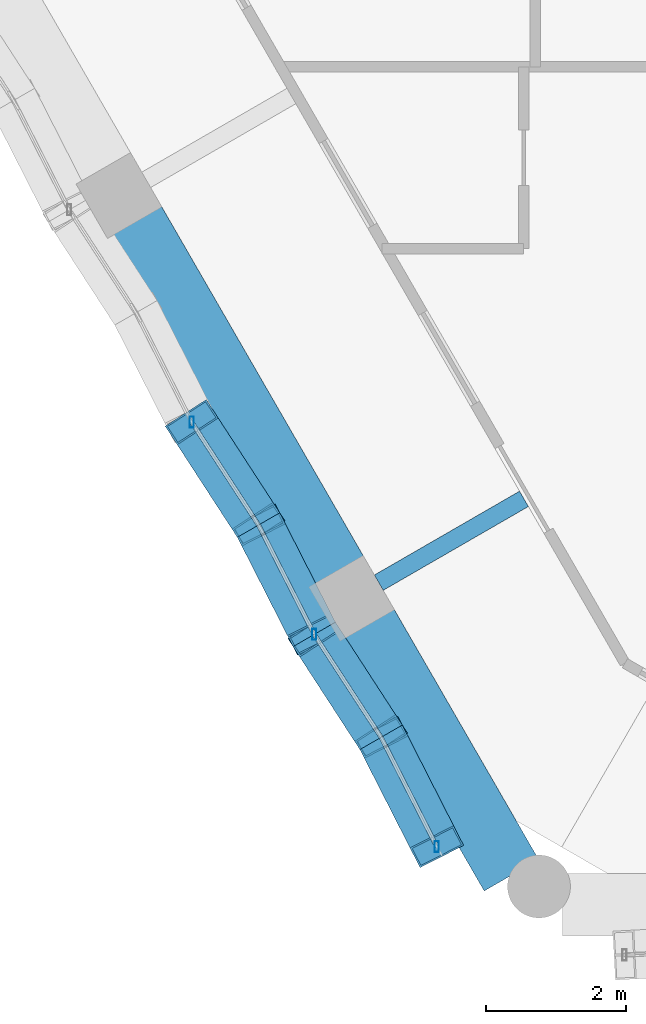
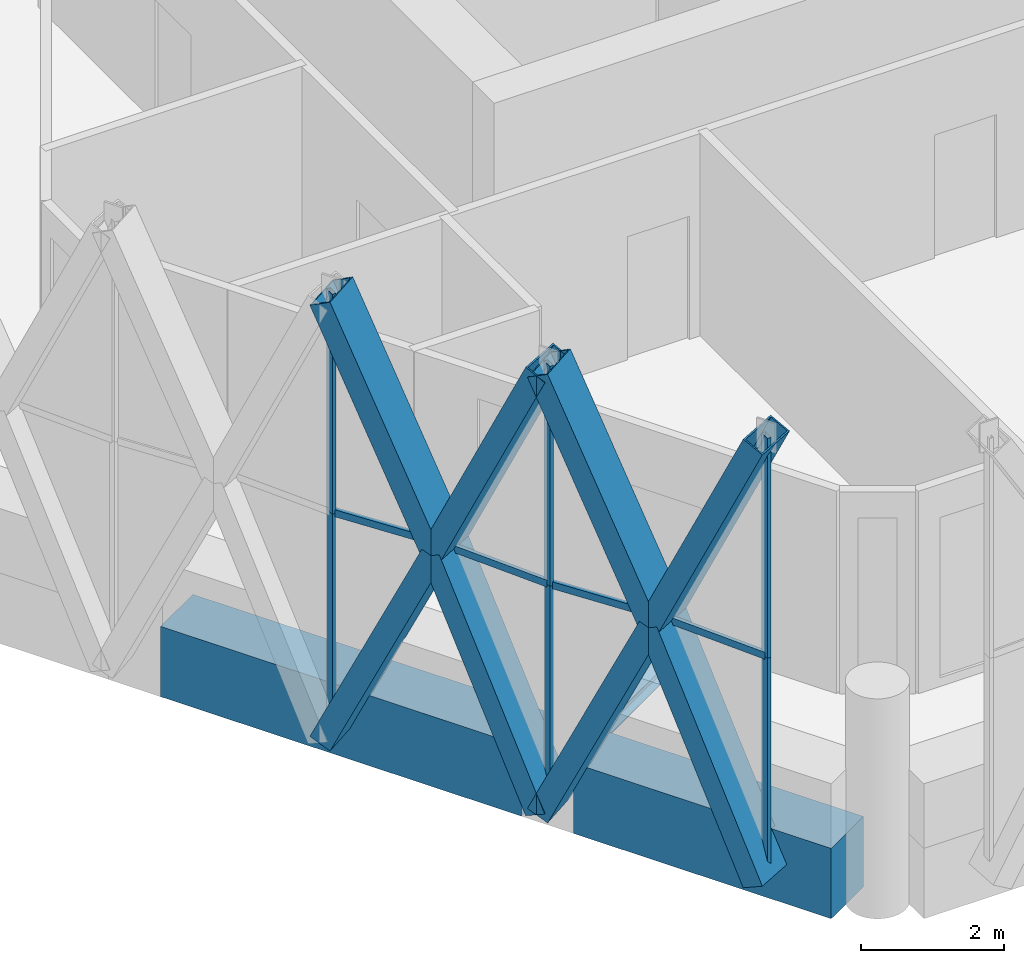
# One storey, part 2 of 27: 18 members, 3 beams, 2 elements without a shape of their own.
"""IFC4 building model written with IfcOpenShell, lengths in metres."""

from ifc_helpers import new_model, si_unit, direction, frame, origin, origin_2d, place, context, subcontext, project, spatial, rectangle, hollow_rectangle, i_section, extrude, material, material_profile, profile_set, type_object, element, aggregate, save


model = new_model("IFC4")

# Units and contexts
model_context = context("Model", 3, precision=1e-05, world=origin(), true_north=direction((0.0, 1.0)))
body_context = subcontext(model_context, "Body", "Model", "MODEL_VIEW")
ifc_project = project(units=[si_unit("LENGTHUNIT", "METRE"), si_unit("AREAUNIT", "SQUARE_METRE"), si_unit("VOLUMEUNIT", "CUBIC_METRE"), si_unit("PLANEANGLEUNIT", "RADIAN"), si_unit("MASSUNIT", "GRAM", prefix="KILO")], contexts=[model_context])

# Site, building, storey
site_placement = place(None, origin())
site = spatial("IfcSite", under=ifc_project, at=site_placement, CompositionType="ELEMENT")
building_placement = place(site_placement, origin())
building = spatial("IfcBuilding", under=site, at=building_placement, Name="Ostrander Bayou Hotel Tower", CompositionType="ELEMENT")
storey_placement = place(building_placement, frame((0.0, 0.0, 267.5)))
storey = spatial("IfcBuildingStorey", under=building, at=storey_placement, Name="L66", CompositionType="ELEMENT", Elevation=267.5)

# Curtain wall, members
ifc_material_1 = material(Name="Aluminium and clear glass", Category="aluminium")
curtain_wall_type = type_object("IfcCurtainWallType", Name="CW-LAT lattice glazing", PredefinedType="NOTDEFINED", material=ifc_material_1)
curtain_wall_1_placement = place(storey_placement, origin())
curtain_wall_1 = element("IfcCurtainWall", 1, at=curtain_wall_1_placement, inside=storey, type_object=curtain_wall_type, Name="CW-LAT L66 SW 1", PredefinedType="NOTDEFINED")
ifc_material_2 = material(Name="Aluminium", Category="aluminium")
ifc_material_profile_1 = material_profile(ifc_material_2, hollow_rectangle(XDim=0.06005859375, YDim=0.159912109375, WallThickness=0.00390625, at=origin_2d()))
ifc_profile_set_1 = profile_set([ifc_material_profile_1], Name="Aluminium")
member_type_1 = type_object("IfcMemberType", Name="CW-LA mullion 60 x 160 mm", PredefinedType="MULLION", material=ifc_profile_set_1)
member_1_placement = place(storey_placement, frame((-15.216064453125, -8.784912109375, -0.60009765625), z_axis=(0.0, 0.0, 1.0), x_axis=(1.0, 0.0, 0.0)))
member_1 = element("IfcMember", 2, at=member_1_placement, type_object=member_type_1, Name="CW-LAT mullion 8", PredefinedType="MULLION", context=body_context, shape_type="SweptSolid", body=[
    extrude(hollow_rectangle(XDim=0.06005859375, YDim=0.159912109375, WallThickness=0.00390625, at=origin_2d()), origin(), (0.0, 0.0, 1.0), 3.75),
])
member_2_placement = place(storey_placement, frame((-15.216064453125, -8.784912109375, 3.14990234375), z_axis=(0.0, 0.0, 1.0), x_axis=(1.0, 0.0, 0.0)))
member_2 = element("IfcMember", 3, at=member_2_placement, type_object=member_type_1, Name="CW-LAT mullion 9", PredefinedType="MULLION", context=body_context, shape_type="SweptSolid", body=[
    extrude(hollow_rectangle(XDim=0.06005859375, YDim=0.159912109375, WallThickness=0.00390625, at=origin_2d()), origin(), (0.0, 0.0, 1.0), 3.75),
])
member_3_placement = place(storey_placement, frame((-13.4619140625, -11.823486328125, -0.60009765625), z_axis=(0.0, 0.0, 1.0), x_axis=(1.0, 0.0, 0.0)))
member_3 = element("IfcMember", 4, at=member_3_placement, type_object=member_type_1, Name="CW-LAT mullion 12", PredefinedType="MULLION", context=body_context, shape_type="SweptSolid", body=[
    extrude(hollow_rectangle(XDim=0.06005859375, YDim=0.159912109375, WallThickness=0.00390625, at=origin_2d()), origin(), (0.0, 0.0, 1.0), 3.75),
])
member_4_placement = place(storey_placement, frame((-13.4619140625, -11.823486328125, 3.14990234375), z_axis=(0.0, 0.0, 1.0), x_axis=(1.0, 0.0, 0.0)))
member_4 = element("IfcMember", 5, at=member_4_placement, type_object=member_type_1, Name="CW-LAT mullion 13", PredefinedType="MULLION", context=body_context, shape_type="SweptSolid", body=[
    extrude(hollow_rectangle(XDim=0.06005859375, YDim=0.159912109375, WallThickness=0.00390625, at=origin_2d()), origin(), (0.0, 0.0, 1.0), 3.75),
])
member_5_placement = place(storey_placement, frame((-11.70751953125, -14.862060546875, -0.60009765625), z_axis=(0.0, 0.0, 1.0), x_axis=(1.0, 0.0, 0.0)))
member_5 = element("IfcMember", 6, at=member_5_placement, type_object=member_type_1, Name="CW-LAT mullion 16", PredefinedType="MULLION", context=body_context, shape_type="SweptSolid", body=[
    extrude(hollow_rectangle(XDim=0.06005859375, YDim=0.159912109375, WallThickness=0.00390625, at=origin_2d()), origin(), (0.0, 0.0, 1.0), 3.75),
])
member_6_placement = place(storey_placement, frame((-11.70751953125, -14.862060546875, 3.14990234375), z_axis=(0.0, 0.0, 1.0), x_axis=(1.0, 0.0, 0.0)))
member_6 = element("IfcMember", 7, at=member_6_placement, type_object=member_type_1, Name="CW-LAT mullion 17", PredefinedType="MULLION", context=body_context, shape_type="SweptSolid", body=[
    extrude(hollow_rectangle(XDim=0.06005859375, YDim=0.159912109375, WallThickness=0.00390625, at=origin_2d()), origin(), (0.0, 0.0, 1.0), 3.75),
])
aggregate(curtain_wall_1, [member_1, member_2, member_3, member_4, member_5, member_6])

curtain_wall_2_placement = place(storey_placement, origin())
curtain_wall_2 = element("IfcCurtainWall", 8, at=curtain_wall_2_placement, inside=storey, type_object=curtain_wall_type, Name="CW-LAT L66 SW 2", PredefinedType="NOTDEFINED")
ifc_material_3 = material(Name="Aluminium", Category="aluminium")
ifc_material_profile_2 = material_profile(ifc_material_3, hollow_rectangle(XDim=0.06005859375, YDim=0.1201171875, WallThickness=0.00390625, at=origin_2d()))
ifc_profile_set_2 = profile_set([ifc_material_profile_2], Name="Aluminium")
member_type_2 = type_object("IfcMemberType", Name="CW-LA transom 60 x 120 mm", PredefinedType="USERDEFINED", material=ifc_profile_set_2)
member_7_placement = place(storey_placement, frame((-15.216064453125, -8.784912109375, 3.14990234375), z_axis=(0.544621946318, -0.838681665228, 0.0), x_axis=(0.838681665228, 0.544621946318, 0.0)))
member_7 = element("IfcMember", 9, at=member_7_placement, type_object=member_type_2, Name="CW-LAT transom 11", ObjectType="TRANSOM", PredefinedType="USERDEFINED", context=body_context, shape_type="SweptSolid", body=[
    extrude(hollow_rectangle(XDim=0.06005859375, YDim=0.1201171875, WallThickness=0.00390625, at=origin_2d()), origin(), (0.0, 0.0, 1.0), 1.7568359375),
])
member_8_placement = place(storey_placement, frame((-13.4619140625, -11.823486328125, 3.14990234375), z_axis=(-0.453927863456, 0.891038436196, 0.0), x_axis=(-0.891038436196, -0.453927863456, 0.0)))
member_8 = element("IfcMember", 10, at=member_8_placement, type_object=member_type_2, Name="CW-LAT transom 14", ObjectType="TRANSOM", PredefinedType="USERDEFINED", context=body_context, shape_type="SweptSolid", body=[
    extrude(hollow_rectangle(XDim=0.06005859375, YDim=0.1201171875, WallThickness=0.00390625, at=origin_2d()), origin(), (0.0, 0.0, 1.0), 1.756591796875),
])
member_9_placement = place(storey_placement, frame((-13.4619140625, -11.823486328125, 3.14990234375), z_axis=(0.544719684637, -0.838618187955, 0.0), x_axis=(0.838618187955, 0.544719684637, 0.0)))
member_9 = element("IfcMember", 11, at=member_9_placement, type_object=member_type_2, Name="CW-LAT transom 15", ObjectType="TRANSOM", PredefinedType="USERDEFINED", context=body_context, shape_type="SweptSolid", body=[
    extrude(hollow_rectangle(XDim=0.06005859375, YDim=0.1201171875, WallThickness=0.00390625, at=origin_2d()), origin(), (0.0, 0.0, 1.0), 1.7568359375),
])
member_10_placement = place(storey_placement, frame((-11.70751953125, -14.862060546875, 3.14990234375), z_axis=(-0.453927863456, 0.891038436196, 0.0), x_axis=(-0.891038436196, -0.453927863456, 0.0)))
member_10 = element("IfcMember", 12, at=member_10_placement, type_object=member_type_2, Name="CW-LAT transom 18", ObjectType="TRANSOM", PredefinedType="USERDEFINED", context=body_context, shape_type="SweptSolid", body=[
    extrude(hollow_rectangle(XDim=0.06005859375, YDim=0.1201171875, WallThickness=0.00390625, at=origin_2d()), origin(), (0.0, 0.0, 1.0), 1.756591796875),
])
aggregate(curtain_wall_2, [member_7, member_8, member_9, member_10])

# Beam
ifc_material_4 = material(Name="Steel ASTM A992", Category="steel")
ifc_material_profile_3 = material_profile(ifc_material_4, i_section(OverallWidth=0.25390625, OverallDepth=0.25341796875, WebThickness=0.008544921875, FlangeThickness=0.01416015625, at=origin_2d()))
ifc_profile_set_3 = profile_set([ifc_material_profile_3], Name="Steel ASTM A992")
beam_type_1 = type_object("IfcBeamType", Name="LB2 loggia bracket W10x49", PredefinedType="BEAM", material=ifc_profile_set_3)
beam_1_placement = place(storey_placement, frame((-12.5380859375, -11.083251953125, -0.4267578125), z_axis=(0.866024647952, 0.500001309137, 0.0), x_axis=(-0.500001309137, 0.866024647952, 0.0)))
element("IfcBeam", 13, at=beam_1_placement, inside=storey, type_object=beam_type_1, Name="LB2 L66 SW2", PredefinedType="BEAM", context=body_context, shape_type="SweptSolid", body=[
    extrude(i_section(OverallWidth=0.25390625, OverallDepth=0.25341796875, WebThickness=0.008544921875, FlangeThickness=0.01416015625, at=origin_2d()), origin(), (0.0, 0.0, 1.0), 2.39990234375),
])

# Members
ifc_material_5 = material(Name="Steel ASTM A572 Gr 50", Category="steel")
ifc_material_profile_4 = material_profile(ifc_material_5, hollow_rectangle(XDim=0.699951171875, YDim=0.35009765625, WallThickness=0.02490234375, at=origin_2d()))
ifc_profile_set_4 = profile_set([ifc_material_profile_4], Name="Steel ASTM A572 Gr 50")
member_type_3 = type_object("IfcMemberType", Name="LT1 lattice member box 700 x 350 x 25 mm", PredefinedType="BRACE", material=ifc_profile_set_4)
for number, where, z_axis, x_axis, name in (
    (14, (-14.25927734375, -10.25830078125, 3.14990234375), (-0.231045890521, 0.35579534302, -0.905553681655), (-0.838681665228, -0.544621946318, 0.0), "LT1 L66 SW 9"),
    (15, (-14.25927734375, -10.25830078125, 3.14990234375), (-0.231045890521, 0.35579534302, 0.905553681655), (-0.838681665228, -0.544621946318, 0.0), "LT1 L66 SW 10"),
    (16, (-14.25927734375, -10.25830078125, 3.14990234375), (0.192552120059, -0.37797049654, -0.905572738551), (0.891038436196, 0.453927863456, 0.0), "LT1 L66 SW 11"),
    (17, (-14.25927734375, -10.25830078125, 3.14990234375), (0.192552120059, -0.37797049654, 0.905572738551), (0.891038436196, 0.453927863456, 0.0), "LT1 L66 SW 12"),
    (18, (-12.5048828125, -13.296875, 3.14990234375), (-0.231101697534, 0.355790496076, -0.905541345439), (-0.838618187955, -0.544719684637, 0.0), "LT1 L66 SW 13"),
    (19, (-12.5048828125, -13.296875, 3.14990234375), (-0.231101697534, 0.355790496076, 0.905541345439), (-0.838618187955, -0.544719684637, 0.0), "LT1 L66 SW 14"),
    (20, (-12.5048828125, -13.296875, 3.14990234375), (0.192552120059, -0.37797049654, -0.905572738551), (0.891038436196, 0.453927863456, 0.0), "LT1 L66 SW 15"),
    (21, (-12.5048828125, -13.296875, 3.14990234375), (0.192552120059, -0.37797049654, 0.905572738551), (0.891038436196, 0.453927863456, 0.0), "LT1 L66 SW 16"),
):
    element("IfcMember", number, at=place(storey_placement, frame(where, z_axis=z_axis, x_axis=x_axis)), inside=storey, type_object=member_type_3, Name=name, PredefinedType="BRACE", context=body_context, shape_type="SweptSolid", body=[
        extrude(hollow_rectangle(XDim=0.699951171875, YDim=0.35009765625, WallThickness=0.02490234375, at=origin_2d()), origin(), (0.0, 0.0, 1.0), 4.14111328125),
    ])

# Beams
ifc_material_6 = material(Name="Concrete f'c 60 MPa", Category="concrete")
ifc_material_profile_5 = material_profile(ifc_material_6, rectangle(XDim=0.89990234375, YDim=1.199951171875, at=origin_2d()))
ifc_profile_set_5 = profile_set([ifc_material_profile_5], Name="Concrete f'c 60 MPa")
beam_type_2 = type_object("IfcBeamType", Name="SP4 spandrel beam 900 x 1200 mm f'c 60 MPa", PredefinedType="SPANDREL", material=ifc_profile_set_5)
beam_2_placement = place(storey_placement, frame((-16.047119140625, -5.905517578125, -0.60009765625), z_axis=(0.500015433515, -0.866016493057, 0.0), x_axis=(0.866016493057, 0.500015433515, 0.0)))
element("IfcBeam", 22, at=beam_2_placement, inside=storey, type_object=beam_type_2, Name="SP4 L66 SW-2", PredefinedType="SPANDREL", context=body_context, shape_type="SweptSolid", body=[
    extrude(rectangle(XDim=0.89990234375, YDim=1.199951171875, at=origin_2d()), origin(), (0.0, 0.0, 1.0), 5.818603515625),
])
beam_3_placement = place(storey_placement, frame((-12.7177734375, -11.672119140625, -0.60009765625), z_axis=(0.50000550616, -0.866022224778, 0.0), x_axis=(0.866022224778, 0.50000550616, 0.0)))
element("IfcBeam", 23, at=beam_3_placement, inside=storey, type_object=beam_type_2, Name="SP4 L66 SW-3", PredefinedType="SPANDREL", context=body_context, shape_type="SweptSolid", body=[
    extrude(rectangle(XDim=0.89990234375, YDim=1.199951171875, at=origin_2d()), origin(), (0.0, 0.0, 1.0), 4.15625),
])

save(model, "model.ifc")
